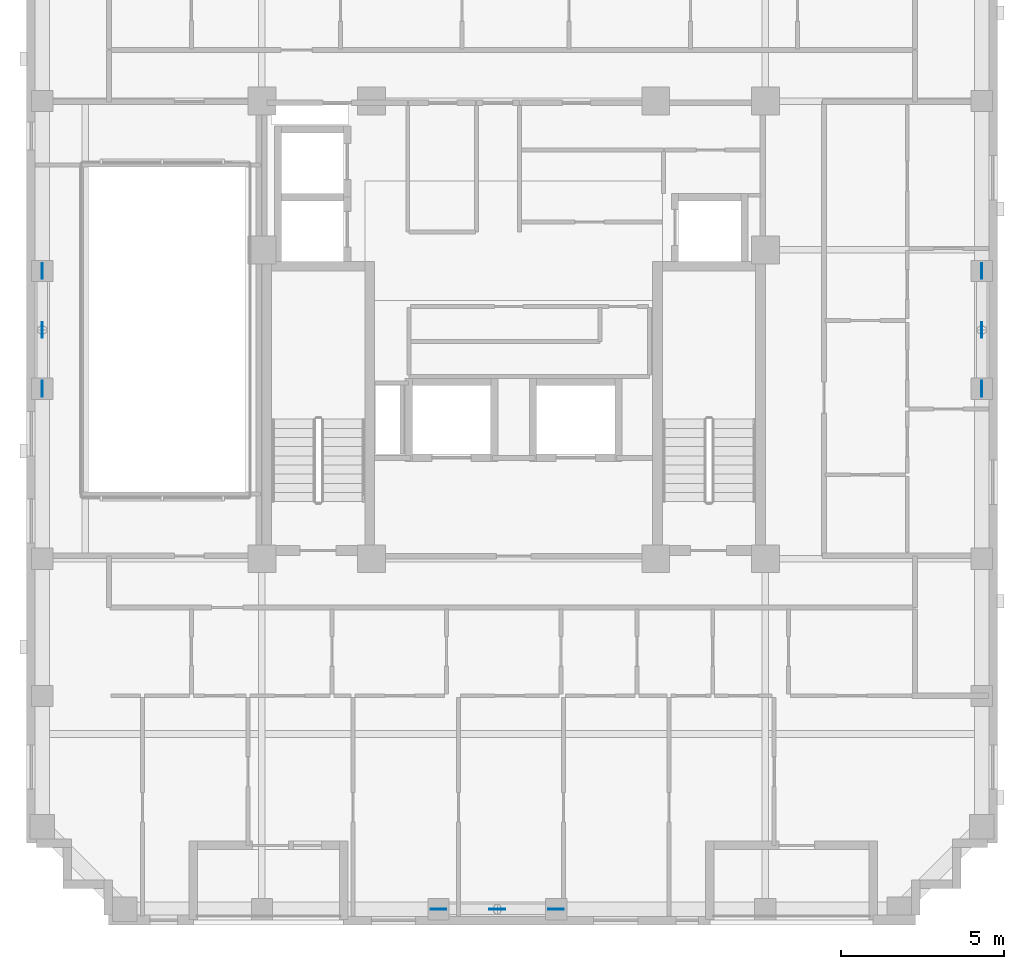
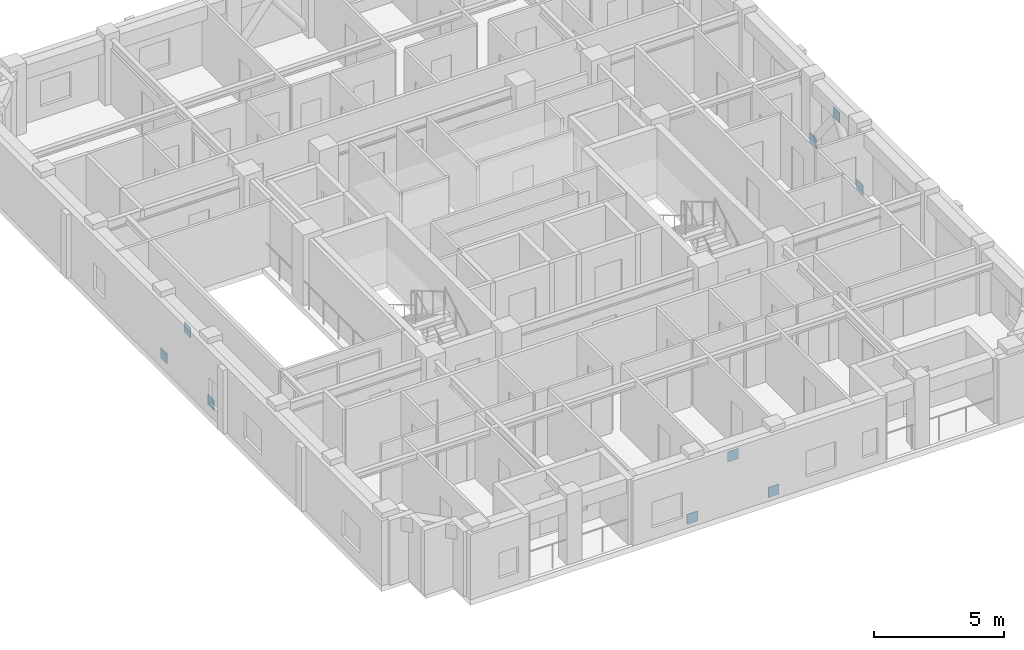
# One storey, part 10 of 13: 9 discrete accessories.
"""IFC4 building model written with IfcOpenShell, lengths in metres."""

from ifc_helpers import new_model, si_unit, derived_unit, direction, frame, origin, origin_2d, place, context, subcontext, project, spatial, rectangle, extrude, material, layer, layer_set, type_object, element, save


model = new_model("IFC4")

# Units and contexts
model_context = context("Model", 3, precision=1e-05, world=origin(), true_north=direction((0.0, 1.0)))
body_context = subcontext(model_context, "Body", "Model", "MODEL_VIEW")
ifc_project = project(units=[si_unit("LENGTHUNIT", "METRE"), si_unit("AREAUNIT", "SQUARE_METRE"), si_unit("VOLUMEUNIT", "CUBIC_METRE"), si_unit("PLANEANGLEUNIT", "RADIAN"), si_unit("MASSUNIT", "GRAM", prefix="KILO"), derived_unit("THERMALTRANSMITTANCEUNIT", [(si_unit("MASSUNIT", "GRAM", prefix="KILO"), 1), (si_unit("TIMEUNIT", "SECOND"), -3), (si_unit("THERMODYNAMICTEMPERATUREUNIT", "KELVIN"), -1)])], contexts=[model_context])

# Site, building, storey
site_placement = place(None, origin())
site = spatial("IfcSite", under=ifc_project, at=site_placement, CompositionType="ELEMENT")
building_placement = place(site_placement, origin())
building = spatial("IfcBuilding", under=site, at=building_placement, Name="Korrvale Station Residences", CompositionType="ELEMENT")
storey_placement = place(building_placement, frame((0.0, 0.0, 181.0)))
storey = spatial("IfcBuildingStorey", under=building, at=storey_placement, Name="L52", CompositionType="ELEMENT", Elevation=181.0)

# Discrete accessories
ifc_material = material(Name="Steel S355", Category="steel")
ifc_layer = layer(ifc_material, 0.02490234375, Name="Steel S355")
ifc_layer_set = layer_set([ifc_layer], Name="Steel S355")
discrete_accessory_type = type_object("IfcDiscreteAccessoryType", Name="ACC-GUSSET-25", PredefinedType="BRACKET", material=ifc_layer_set)
for number, where, z_axis, x_axis, name in (
    (1, (23.199951171875, 4.280029296875, -0.219970703125), (0.0, 0.0, 1.0), (1.0, 0.0, 0.0), "L52 S Brace End Gusset Connection A"),
    (2, (26.800048828125, 4.280029296875, -0.219970703125), (0.0, 0.0, 1.0), (1.0, 0.0, 0.0), "L52 S Brace End Gusset Connection B"),
    (3, (25.0, 4.280029296875, 2.070068359375), (0.0, 0.0, 1.0), (1.0, 0.0, 0.0), "L52 S Brace End Gusset Connection M"),
    (4, (11.080078125, 20.199951171875, -0.219970703125), (0.0, 0.0, 1.0), (0.0, 1.0, 0.0), "L52 W Brace End Gusset Connection A"),
    (5, (11.080078125, 23.800048828125, -0.219970703125), (0.0, 0.0, 1.0), (0.0, 1.0, 0.0), "L52 W Brace End Gusset Connection B"),
    (6, (11.080078125, 22.0, 2.070068359375), (0.0, 0.0, 1.0), (0.0, 1.0, 0.0), "L52 W Brace End Gusset Connection M"),
    (7, (39.820068359375, 20.199951171875, -0.219970703125), (0.0, 0.0, 1.0), (0.0, 1.0, 0.0), "L52 E Brace End Gusset Connection A"),
    (8, (39.820068359375, 23.800048828125, -0.219970703125), (0.0, 0.0, 1.0), (0.0, 1.0, 0.0), "L52 E Brace End Gusset Connection B"),
    (9, (39.820068359375, 22.0, 2.070068359375), (0.0, 0.0, 1.0), (0.0, 1.0, 0.0), "L52 E Brace End Gusset Connection M"),
):
    element("IfcDiscreteAccessory", number, at=place(storey_placement, frame(where, z_axis=z_axis, x_axis=x_axis)), inside=storey, type_object=discrete_accessory_type, Name=name, PredefinedType="BRACKET", context=body_context, shape_type="SweptSolid", body=[
        extrude(rectangle(XDim=0.47998046875, YDim=0.02490234375, at=origin_2d()), origin(), (0.0, 0.0, 1.0), 0.47998046875),
    ])

save(model, "model.ifc")
